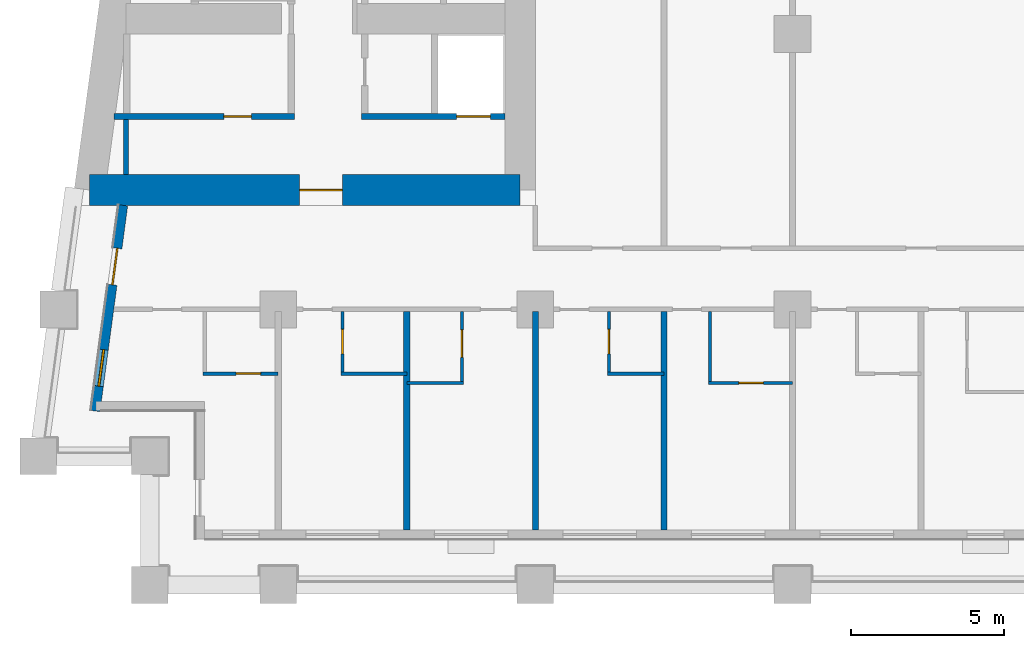
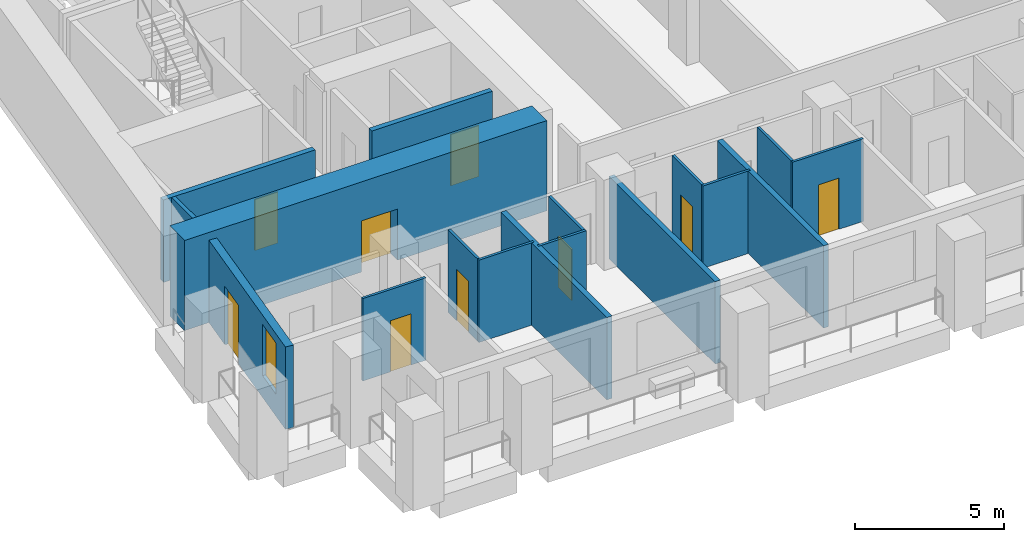
# One storey, part 2 of 14: 17 walls, 9 doors, 1 window, 10 openings.
"""IFC4 building model written with IfcOpenShell, lengths in metres."""

from ifc_helpers import new_model, si_unit, direction, frame, frame_2d, origin, place, context, subcontext, project, spatial, rectangle, extrude, material, layer, layer_set, type_object, element, fill, save


model = new_model("IFC4")

# Units and contexts
model_context = context("Model", 3, precision=1e-05, world=origin(), true_north=direction((0.0, 1.0)))
body_context = subcontext(model_context, "Body", "Model", "MODEL_VIEW")
ifc_project = project(units=[si_unit("LENGTHUNIT", "METRE"), si_unit("AREAUNIT", "SQUARE_METRE"), si_unit("VOLUMEUNIT", "CUBIC_METRE"), si_unit("PLANEANGLEUNIT", "RADIAN"), si_unit("MASSUNIT", "GRAM", prefix="KILO")], contexts=[model_context])

# Site, building, storey
site_placement = place(None, origin())
site = spatial("IfcSite", under=ifc_project, at=site_placement, CompositionType="ELEMENT")
building_placement = place(site_placement, origin())
building = spatial("IfcBuilding", under=site, at=building_placement, Name="Candeia Pilgrim Tower and Theatre", CompositionType="ELEMENT")
storey_placement = place(building_placement, frame((0.0, 0.0, 124.300048828125)))
storey = spatial("IfcBuildingStorey", under=building, at=storey_placement, Name="L29", CompositionType="ELEMENT", Elevation=124.300048828125)

# Wall, opening, door
ifc_material_1 = material(Name="Concrete C70/85", Category="concrete")
ifc_layer_1 = layer(ifc_material_1, 1.0)
ifc_layer_set_1 = layer_set([ifc_layer_1], Name="Core wall 1000 C70/85")
wall_type_1 = type_object("IfcWallType", Name="Core wall 1000 C70/85", PredefinedType="SHEAR", material=ifc_layer_set_1)
wall_1_placement = place(storey_placement, frame((100.300048828125, 110.89990234375, 0.0), z_axis=(0.0, 0.0, 1.0), x_axis=(-1.0, 0.0, 0.0)))
wall_1 = element("IfcWall", 1, at=wall_1_placement, inside=storey, type_object=wall_type_1, Name="Core wall W3", PredefinedType="SHEAR", context=body_context, shape_type="SweptSolid", body=[
    extrude(rectangle(XDim=14.05908203125, YDim=1.0, at=frame_2d((7.029541015625, 0.0))), origin(), (0.0, 0.0, 1.0), 3.699951171875),
])
opening_1_placement = place(wall_1_placement, frame((5.801513671875, 0.0, 0.0)))
opening_1 = element("IfcOpeningElement", 2, at=opening_1_placement, cuts=wall_1, Name="Opening L29-D066", PredefinedType="OPENING", context=body_context, shape_type="SweptSolid", body=[
    extrude(rectangle(XDim=1.39990234375, YDim=2.10009765625, at=frame_2d((0.699951171875, 1.050048828125))), frame((0.0, 0.510009765625, 0.0), z_axis=(0.0, -1.0, 0.0), x_axis=(1.0, 0.0, 0.0)), (0.0, 0.0, 1.0), 1.02001953125),
])
ifc_material_2 = material(Name="Steel fire door set", Category="steel")
door_type_1 = type_object("IfcDoorType", Name="D-1400-FD60", OperationType="NOTDEFINED", PredefinedType="DOOR", material=ifc_material_2)
door_1_placement = place(opening_1_placement, origin())
door_1 = element("IfcDoor", 3, at=door_1_placement, inside=storey, type_object=door_type_1, Name="Door L29-D066", OperationType="SINGLE_SWING_LEFT", OverallHeight=2.10009765625, OverallWidth=1.39990234375, PredefinedType="DOOR", context=body_context, shape_type="SweptSolid", body=[
    extrude(rectangle(XDim=1.39990234375, YDim=2.10009765625, at=frame_2d((0.699951171875, 1.050048828125))), frame((0.0, 0.02490234375, 0.0), z_axis=(0.0, -1.0, 0.0), x_axis=(1.0, 0.0, 0.0)), (0.0, 0.0, 1.0), 0.050048828125),
])
fill(opening_1, door_1)

# Wall, openings, door, window
ifc_material_3 = material(Name="Ceramic block masonry", Category="masonry")
ifc_layer_2 = layer(ifc_material_3, 0.300048828125)
ifc_layer_set_2 = layer_set([ifc_layer_2], Name="EW1 glazing-line wall 300")
wall_type_2 = type_object("IfcWallType", Name="EW1 glazing-line wall 300", PredefinedType="SOLIDWALL", material=ifc_layer_set_2)
wall_2_placement = place(storey_placement, frame((87.334228515625, 110.39990234375, 0.0), z_axis=(0.0, 0.0, 1.0), x_axis=(-0.133437175554, -0.991057273915, 0.0)))
wall_2 = element("IfcWall", 4, at=wall_2_placement, inside=storey, type_object=wall_type_2, Name="External wall L29-9.1", PredefinedType="SOLIDWALL", context=body_context, shape_type="SweptSolid", body=[
    extrude(rectangle(XDim=6.780517578125, YDim=0.300048828125, at=frame_2d((3.39013671875, 0.0))), origin(), (0.0, 0.0, 1.0), 3.3798828125),
])
opening_2_placement = place(wall_2_placement, frame((1.41796875, 0.0, 0.0)))
opening_2 = element("IfcOpeningElement", 5, at=opening_2_placement, cuts=wall_2, Name="Opening L29-ED299", PredefinedType="OPENING", context=body_context, shape_type="SweptSolid", body=[
    extrude(rectangle(XDim=1.199951171875, YDim=2.39990234375, at=frame_2d((0.60009765625, 1.199951171875))), frame((0.0, 0.16015625, 0.0), z_axis=(0.0, -1.0, 0.0), x_axis=(1.0, 0.0, 0.0)), (0.0, 0.0, 1.0), 0.320068359375),
])
opening_3_placement = place(wall_2_placement, frame((4.75830078125, 0.0, 0.89990234375)))
opening_3 = element("IfcOpeningElement", 6, at=opening_3_placement, cuts=wall_2, Name="Opening W-B", PredefinedType="OPENING", context=body_context, shape_type="SweptSolid", body=[
    extrude(rectangle(XDim=1.199951171875, YDim=2.10009765625, at=frame_2d((0.60009765625, 1.050048828125))), frame((0.0, 0.16015625, 0.0), z_axis=(0.0, -1.0, 0.0), x_axis=(1.0, 0.0, 0.0)), (0.0, 0.0, 1.0), 0.320068359375),
])
ifc_material_4 = material(Name="Aluminium framed glazed door", Category="aluminium")
door_type_2 = type_object("IfcDoorType", Name="Loggia door 1200x2400", OperationType="DOUBLE_DOOR_SINGLE_SWING", PredefinedType="DOOR", material=ifc_material_4)
door_2_placement = place(opening_2_placement, origin())
door_2 = element("IfcDoor", 7, at=door_2_placement, inside=storey, type_object=door_type_2, Name="Loggia door L29-ED299", OperationType="DOUBLE_DOOR_SINGLE_SWING", OverallHeight=2.39990234375, OverallWidth=1.199951171875, PredefinedType="DOOR", context=body_context, shape_type="SweptSolid", body=[
    extrude(rectangle(XDim=1.199951171875, YDim=2.39990234375, at=frame_2d((0.60009765625, 1.199951171875))), frame((0.0, 0.02490234375, 0.0), z_axis=(0.0, -1.0, 0.0), x_axis=(1.0, 0.0, 0.0)), (0.0, 0.0, 1.0), 0.050048828125),
])
fill(opening_2, door_2)
ifc_material_5 = material(Name="Aluminium framed double glazing", Category="aluminium")
window_type = type_object("IfcWindowType", Name="W-B window 1200x2100", PartitioningType="SINGLE_PANEL", PredefinedType="WINDOW", material=ifc_material_5)
window_placement = place(opening_3_placement, origin())
window = element("IfcWindow", 8, at=window_placement, inside=storey, type_object=window_type, Name="Window W-B L29", OverallHeight=2.10009765625, OverallWidth=1.199951171875, PartitioningType="SINGLE_PANEL", PredefinedType="WINDOW", context=body_context, shape_type="SweptSolid", body=[
    extrude(rectangle(XDim=1.199951171875, YDim=2.10009765625, at=frame_2d((0.60009765625, 1.050048828125))), frame((0.0, 0.030029296875, 0.0), z_axis=(0.0, -1.0, 0.0), x_axis=(1.0, 0.0, 0.0)), (0.0, 0.0, 1.0), 0.06005859375),
])
fill(opening_3, window)

# Wall
ifc_material_6 = material(Name="Gypsum board partition on steel studs", Category="steel")
ifc_layer_3 = layer(ifc_material_6, 0.10009765625)
ifc_layer_set_3 = layer_set([ifc_layer_3], Name="PW-100 room partition")
wall_type_3 = type_object("IfcWallType", Name="PW-100 room partition", PredefinedType="PARTITIONING", material=ifc_layer_set_3)
wall_3_placement = place(storey_placement, frame((96.60009765625, 104.60009765625, 0.0), z_axis=(0.0, 0.0, 1.0), x_axis=(1.0, 0.0, 0.0)))
element("IfcWall", 9, at=wall_3_placement, inside=storey, type_object=wall_type_3, Name="Room partition L29-004", PredefinedType="PARTITIONING", context=body_context, shape_type="SweptSolid", body=[
    extrude(rectangle(XDim=1.849853515625, YDim=0.10009765625, at=frame_2d((0.9248046875, 0.0))), origin(), (0.0, 0.0, 1.0), 3.3798828125),
])

# Wall, opening, door
wall_4_placement = place(storey_placement, frame((106.449951171875, 104.60009765625, 0.0), z_axis=(0.0, 0.0, 1.0), x_axis=(1.0, 0.0, 0.0)))
wall_4 = element("IfcWall", 10, at=wall_4_placement, inside=storey, type_object=wall_type_3, Name="Room partition L29-005", PredefinedType="PARTITIONING", context=body_context, shape_type="SweptSolid", body=[
    extrude(rectangle(XDim=2.75, YDim=0.10009765625, at=frame_2d((1.375, 0.0))), origin(), (0.0, 0.0, 1.0), 3.3798828125),
])
opening_4_placement = place(wall_4_placement, frame((1.0, 0.0, 0.0)))
opening_4 = element("IfcOpeningElement", 11, at=opening_4_placement, cuts=wall_4, Name="Opening L29-D023", PredefinedType="OPENING", context=body_context, shape_type="SweptSolid", body=[
    extrude(rectangle(XDim=0.800048828125, YDim=2.10009765625, at=frame_2d((0.39990234375, 1.050048828125))), frame((0.0, 0.06005859375, 0.0), z_axis=(0.0, -1.0, 0.0), x_axis=(1.0, 0.0, 0.0)), (0.0, 0.0, 1.0), 0.1201171875),
])
ifc_material_7 = material(Name="Timber door leaf", Category="wood")
door_type_3 = type_object("IfcDoorType", Name="D-800", OperationType="NOTDEFINED", PredefinedType="DOOR", material=ifc_material_7)
door_3_placement = place(opening_4_placement, origin())
door_3 = element("IfcDoor", 12, at=door_3_placement, inside=storey, type_object=door_type_3, Name="Door L29-D023", OperationType="SINGLE_SWING_RIGHT", OverallHeight=2.10009765625, OverallWidth=0.800048828125, PredefinedType="DOOR", context=body_context, shape_type="SweptSolid", body=[
    extrude(rectangle(XDim=0.800048828125, YDim=2.10009765625, at=frame_2d((0.39990234375, 1.050048828125))), frame((0.0, 0.02490234375, 0.0), z_axis=(0.0, -1.0, 0.0), x_axis=(1.0, 0.0, 0.0)), (0.0, 0.0, 1.0), 0.050048828125),
])
fill(opening_4, door_3)

wall_5_placement = place(storey_placement, frame((89.949951171875, 104.89990234375, 0.0), z_axis=(0.0, 0.0, 1.0), x_axis=(1.0, 0.0, 0.0)))
wall_5 = element("IfcWall", 13, at=wall_5_placement, inside=storey, type_object=wall_type_3, Name="Room partition L29-006", PredefinedType="PARTITIONING", context=body_context, shape_type="SweptSolid", body=[
    extrude(rectangle(XDim=2.449951171875, YDim=0.10009765625, at=frame_2d((1.22509765625, 0.0))), origin(), (0.0, 0.0, 1.0), 3.3798828125),
])
opening_5_placement = place(wall_5_placement, frame((1.074951171875, 0.0, 0.0)))
opening_5 = element("IfcOpeningElement", 14, at=opening_5_placement, cuts=wall_5, Name="Opening L29-D015", PredefinedType="OPENING", context=body_context, shape_type="SweptSolid", body=[
    extrude(rectangle(XDim=0.800048828125, YDim=2.10009765625, at=frame_2d((0.39990234375, 1.050048828125))), frame((0.0, 0.06005859375, 0.0), z_axis=(0.0, -1.0, 0.0), x_axis=(1.0, 0.0, 0.0)), (0.0, 0.0, 1.0), 0.1201171875),
])
door_4_placement = place(opening_5_placement, origin())
door_4 = element("IfcDoor", 15, at=door_4_placement, inside=storey, type_object=door_type_3, Name="Door L29-D015", OperationType="SINGLE_SWING_RIGHT", OverallHeight=2.10009765625, OverallWidth=0.800048828125, PredefinedType="DOOR", context=body_context, shape_type="SweptSolid", body=[
    extrude(rectangle(XDim=0.800048828125, YDim=2.10009765625, at=frame_2d((0.39990234375, 1.050048828125))), frame((0.0, 0.02490234375, 0.0), z_axis=(0.0, -1.0, 0.0), x_axis=(1.0, 0.0, 0.0)), (0.0, 0.0, 1.0), 0.050048828125),
])
fill(opening_5, door_4)

# Walls
wall_6_placement = place(storey_placement, frame((94.449951171875, 104.89990234375, 0.0), z_axis=(0.0, 0.0, 1.0), x_axis=(1.0, 0.0, 0.0)))
element("IfcWall", 16, at=wall_6_placement, inside=storey, type_object=wall_type_3, Name="Room partition L29-007", PredefinedType="PARTITIONING", context=body_context, shape_type="SweptSolid", body=[
    extrude(rectangle(XDim=2.150146484375, YDim=0.10009765625, at=frame_2d((1.0751953125, 0.0))), origin(), (0.0, 0.0, 1.0), 3.3798828125),
])
wall_7_placement = place(storey_placement, frame((103.14990234375, 104.89990234375, 0.0), z_axis=(0.0, 0.0, 1.0), x_axis=(1.0, 0.0, 0.0)))
element("IfcWall", 17, at=wall_7_placement, inside=storey, type_object=wall_type_3, Name="Room partition L29-008", PredefinedType="PARTITIONING", context=body_context, shape_type="SweptSolid", body=[
    extrude(rectangle(XDim=1.85009765625, YDim=0.10009765625, at=frame_2d((0.925048828125, 0.0))), origin(), (0.0, 0.0, 1.0), 3.3798828125),
])

# Wall, opening, door
wall_8_placement = place(storey_placement, frame((94.5, 104.949951171875, 0.0), z_axis=(0.0, 0.0, 1.0), x_axis=(0.0, 1.0, 0.0)))
wall_8 = element("IfcWall", 18, at=wall_8_placement, inside=storey, type_object=wall_type_3, Name="Room partition L29-066", PredefinedType="PARTITIONING", context=body_context, shape_type="SweptSolid", body=[
    extrude(rectangle(XDim=1.97509765625, YDim=0.10009765625, at=frame_2d((0.987548828125, 0.0))), origin(), (0.0, 0.0, 1.0), 3.3798828125),
])
opening_6_placement = place(wall_8_placement, frame((0.60009765625, 0.0, 0.0)))
opening_6 = element("IfcOpeningElement", 19, at=opening_6_placement, cuts=wall_8, Name="Opening L29-D017", PredefinedType="OPENING", context=body_context, shape_type="SweptSolid", body=[
    extrude(rectangle(XDim=0.800048828125, YDim=2.10009765625, at=frame_2d((0.39990234375, 1.050048828125))), frame((0.0, 0.06005859375, 0.0), z_axis=(0.0, -1.0, 0.0), x_axis=(1.0, 0.0, 0.0)), (0.0, 0.0, 1.0), 0.1201171875),
])
door_5_placement = place(opening_6_placement, origin())
door_5 = element("IfcDoor", 20, at=door_5_placement, inside=storey, type_object=door_type_3, Name="Door L29-D017", OperationType="SINGLE_SWING_RIGHT", OverallHeight=2.10009765625, OverallWidth=0.800048828125, PredefinedType="DOOR", context=body_context, shape_type="SweptSolid", body=[
    extrude(rectangle(XDim=0.800048828125, YDim=2.10009765625, at=frame_2d((0.39990234375, 1.050048828125))), frame((0.0, 0.02490234375, 0.0), z_axis=(0.0, -1.0, 0.0), x_axis=(1.0, 0.0, 0.0)), (0.0, 0.0, 1.0), 0.050048828125),
])
fill(opening_6, door_5)

wall_9_placement = place(storey_placement, frame((98.39990234375, 104.64990234375, 0.0), z_axis=(0.0, 0.0, 1.0), x_axis=(0.0, 1.0, 0.0)))
wall_9 = element("IfcWall", 21, at=wall_9_placement, inside=storey, type_object=wall_type_3, Name="Room partition L29-076", PredefinedType="PARTITIONING", context=body_context, shape_type="SweptSolid", body=[
    extrude(rectangle(XDim=2.275146484375, YDim=0.10009765625, at=frame_2d((1.1376953125, 0.0))), origin(), (0.0, 0.0, 1.0), 3.3798828125),
])
opening_7_placement = place(wall_9_placement, frame((0.780029296875, 0.0, 0.0)))
opening_7 = element("IfcOpeningElement", 22, at=opening_7_placement, cuts=wall_9, Name="Opening L29-D019", PredefinedType="OPENING", context=body_context, shape_type="SweptSolid", body=[
    extrude(rectangle(XDim=0.89990234375, YDim=2.10009765625, at=frame_2d((0.449951171875, 1.050048828125))), frame((0.0, 0.06005859375, 0.0), z_axis=(0.0, -1.0, 0.0), x_axis=(1.0, 0.0, 0.0)), (0.0, 0.0, 1.0), 0.1201171875),
])
door_type_4 = type_object("IfcDoorType", Name="D-900", OperationType="NOTDEFINED", PredefinedType="DOOR", material=ifc_material_7)
door_6_placement = place(opening_7_placement, origin())
door_6 = element("IfcDoor", 23, at=door_6_placement, inside=storey, type_object=door_type_4, Name="Door L29-D019", OperationType="SINGLE_SWING_RIGHT", OverallHeight=2.10009765625, OverallWidth=0.89990234375, PredefinedType="DOOR", context=body_context, shape_type="SweptSolid", body=[
    extrude(rectangle(XDim=0.89990234375, YDim=2.10009765625, at=frame_2d((0.449951171875, 1.050048828125))), frame((0.0, 0.02490234375, 0.0), z_axis=(0.0, -1.0, 0.0), x_axis=(1.0, 0.0, 0.0)), (0.0, 0.0, 1.0), 0.050048828125),
])
fill(opening_7, door_6)

wall_10_placement = place(storey_placement, frame((103.199951171875, 104.949951171875, 0.0), z_axis=(0.0, 0.0, 1.0), x_axis=(0.0, 1.0, 0.0)))
wall_10 = element("IfcWall", 24, at=wall_10_placement, inside=storey, type_object=wall_type_3, Name="Room partition L29-081", PredefinedType="PARTITIONING", context=body_context, shape_type="SweptSolid", body=[
    extrude(rectangle(XDim=1.97509765625, YDim=0.10009765625, at=frame_2d((0.987548828125, 0.0))), origin(), (0.0, 0.0, 1.0), 3.3798828125),
])
opening_8_placement = place(wall_10_placement, frame((0.60009765625, 0.0, 0.0)))
opening_8 = element("IfcOpeningElement", 25, at=opening_8_placement, cuts=wall_10, Name="Opening L29-D021", PredefinedType="OPENING", context=body_context, shape_type="SweptSolid", body=[
    extrude(rectangle(XDim=0.800048828125, YDim=2.10009765625, at=frame_2d((0.39990234375, 1.050048828125))), frame((0.0, 0.06005859375, 0.0), z_axis=(0.0, -1.0, 0.0), x_axis=(1.0, 0.0, 0.0)), (0.0, 0.0, 1.0), 0.1201171875),
])
door_7_placement = place(opening_8_placement, origin())
door_7 = element("IfcDoor", 26, at=door_7_placement, inside=storey, type_object=door_type_3, Name="Door L29-D021", OperationType="SINGLE_SWING_RIGHT", OverallHeight=2.10009765625, OverallWidth=0.800048828125, PredefinedType="DOOR", context=body_context, shape_type="SweptSolid", body=[
    extrude(rectangle(XDim=0.800048828125, YDim=2.10009765625, at=frame_2d((0.39990234375, 1.050048828125))), frame((0.0, 0.02490234375, 0.0), z_axis=(0.0, -1.0, 0.0), x_axis=(1.0, 0.0, 0.0)), (0.0, 0.0, 1.0), 0.050048828125),
])
fill(opening_8, door_7)

# Walls
wall_11_placement = place(storey_placement, frame((106.5, 104.64990234375, 0.0), z_axis=(0.0, 0.0, 1.0), x_axis=(0.0, 1.0, 0.0)))
element("IfcWall", 27, at=wall_11_placement, inside=storey, type_object=wall_type_3, Name="Room partition L29-086", PredefinedType="PARTITIONING", context=body_context, shape_type="SweptSolid", body=[
    extrude(rectangle(XDim=2.275146484375, YDim=0.10009765625, at=frame_2d((1.1376953125, 0.0))), origin(), (0.0, 0.0, 1.0), 3.3798828125),
])
ifc_layer_4 = layer(ifc_material_6, 0.14990234375)
ifc_layer_set_4 = layer_set([ifc_layer_4], Name="PW-150 lobby wall")
wall_type_4 = type_object("IfcWallType", Name="PW-150 lobby wall", PredefinedType="PARTITIONING", material=ifc_layer_set_4)
wall_12_placement = place(storey_placement, frame((87.428955078125, 111.39990234375, 0.0), z_axis=(0.0, 0.0, 1.0), x_axis=(0.0, 1.0, 0.0)))
element("IfcWall", 28, at=wall_12_placement, inside=storey, type_object=wall_type_4, Name="Lobby wall L29-055", PredefinedType="PARTITIONING", context=body_context, shape_type="SweptSolid", body=[
    extrude(rectangle(XDim=1.800048828125, YDim=0.14990234375, at=frame_2d((0.89990234375, 0.0))), origin(), (0.0, 0.0, 1.0), 3.3798828125),
])
ifc_layer_5 = layer(ifc_material_6, 0.199951171875)
ifc_layer_set_5 = layer_set([ifc_layer_5], Name="PW-200 party wall")
wall_type_5 = type_object("IfcWallType", Name="PW-200 party wall", PredefinedType="PARTITIONING", material=ifc_layer_set_5)
for number, where, z_axis, x_axis, name in (
    (29, (96.60009765625, 99.7900390625, 0.0), (0.0, 0.0, 1.0), (0.0, 1.0, 0.0), "Party wall L29-071"),
    (30, (100.800048828125, 99.7900390625, 0.0), (0.0, 0.0, 1.0), (0.0, 1.0, 0.0), "Party wall L29-077"),
    (31, (105.0, 99.7900390625, 0.0), (0.0, 0.0, 1.0), (0.0, 1.0, 0.0), "Party wall L29-082"),
):
    element("IfcWall", number, at=place(storey_placement, frame(where, z_axis=z_axis, x_axis=x_axis)), inside=storey, type_object=wall_type_5, Name=name, PredefinedType="PARTITIONING", context=body_context, shape_type="SweptSolid", body=[
        extrude(rectangle(XDim=7.135009765625, YDim=0.199951171875, at=frame_2d((3.5673828125, 0.0))), origin(), (0.0, 0.0, 1.0), 3.3798828125),
    ])

# Wall, opening, door
ifc_material_8 = material(Name="Concrete C40/50", Category="concrete")
ifc_layer_6 = layer(ifc_material_8, 0.199951171875)
ifc_layer_set_6 = layer_set([ifc_layer_6], Name="SW-200 shaft wall")
wall_type_6 = type_object("IfcWallType", Name="SW-200 shaft wall", PredefinedType="PARTITIONING", material=ifc_layer_set_6)
wall_13_placement = place(storey_placement, frame((87.03857421875, 113.300048828125, 0.0), z_axis=(0.0, 0.0, 1.0), x_axis=(1.0, 0.0, 0.0)))
wall_13 = element("IfcWall", 32, at=wall_13_placement, inside=storey, type_object=wall_type_6, Name="Shaft wall L29-014", PredefinedType="PARTITIONING", context=body_context, shape_type="SweptSolid", body=[
    extrude(rectangle(XDim=5.888427734375, YDim=0.199951171875, at=frame_2d((2.9443359375, 0.0))), origin(), (0.0, 0.0, 1.0), 3.3798828125),
])
opening_9_placement = place(wall_13_placement, frame((3.58837890625, 0.0, 0.0)))
opening_9 = element("IfcOpeningElement", 33, at=opening_9_placement, cuts=wall_13, Name="Opening L29-D006", PredefinedType="OPENING", context=body_context, shape_type="SweptSolid", body=[
    extrude(rectangle(XDim=0.89990234375, YDim=2.10009765625, at=frame_2d((0.449951171875, 1.050048828125))), frame((0.0, 0.10986328125, 0.0), z_axis=(0.0, -1.0, 0.0), x_axis=(1.0, 0.0, 0.0)), (0.0, 0.0, 1.0), 0.219970703125),
])
door_type_5 = type_object("IfcDoorType", Name="D-900-FD60", OperationType="NOTDEFINED", PredefinedType="DOOR", material=ifc_material_2)
door_8_placement = place(opening_9_placement, origin())
door_8 = element("IfcDoor", 34, at=door_8_placement, inside=storey, type_object=door_type_5, Name="Door L29-D006", OperationType="SINGLE_SWING_RIGHT", OverallHeight=2.10009765625, OverallWidth=0.89990234375, PredefinedType="DOOR", context=body_context, shape_type="SweptSolid", body=[
    extrude(rectangle(XDim=0.89990234375, YDim=2.10009765625, at=frame_2d((0.449951171875, 1.050048828125))), frame((0.0, 0.02490234375, 0.0), z_axis=(0.0, -1.0, 0.0), x_axis=(1.0, 0.0, 0.0)), (0.0, 0.0, 1.0), 0.050048828125),
])
fill(opening_9, door_8)

wall_14_placement = place(storey_placement, frame((95.126953125, 113.300048828125, 0.0), z_axis=(0.0, 0.0, 1.0), x_axis=(1.0, 0.0, 0.0)))
wall_14 = element("IfcWall", 35, at=wall_14_placement, inside=storey, type_object=wall_type_6, Name="Shaft wall L29-015", PredefinedType="PARTITIONING", context=body_context, shape_type="SweptSolid", body=[
    extrude(rectangle(XDim=4.673095703125, YDim=0.199951171875, at=frame_2d((2.33642578125, 0.0))), origin(), (0.0, 0.0, 1.0), 3.3798828125),
])
opening_10_placement = place(wall_14_placement, frame((3.10107421875, 0.0, 0.0)))
opening_10 = element("IfcOpeningElement", 36, at=opening_10_placement, cuts=wall_14, Name="Opening L29-LD03", PredefinedType="OPENING", context=body_context, shape_type="SweptSolid", body=[
    extrude(rectangle(XDim=1.10009765625, YDim=2.10009765625, at=frame_2d((0.550048828125, 1.050048828125))), frame((0.0, 0.10986328125, 0.0), z_axis=(0.0, -1.0, 0.0), x_axis=(1.0, 0.0, 0.0)), (0.0, 0.0, 1.0), 0.219970703125),
])
ifc_material_9 = material(Name="Glazed aluminium landing door", Category="aluminium")
door_type_6 = type_object("IfcDoorType", Name="LD-1100-EI120", OperationType="SLIDING_TO_LEFT", PredefinedType="DOOR", material=ifc_material_9)
door_9_placement = place(opening_10_placement, origin())
door_9 = element("IfcDoor", 37, at=door_9_placement, inside=storey, type_object=door_type_6, Name="Landing door 03 L29", OperationType="SLIDING_TO_LEFT", OverallHeight=2.10009765625, OverallWidth=1.10009765625, PredefinedType="DOOR", context=body_context, shape_type="SweptSolid", body=[
    extrude(rectangle(XDim=1.10009765625, YDim=2.10009765625, at=frame_2d((0.550048828125, 1.050048828125))), frame((0.0, 0.02490234375, 0.0), z_axis=(0.0, -1.0, 0.0), x_axis=(1.0, 0.0, 0.0)), (0.0, 0.0, 1.0), 0.050048828125),
])
fill(opening_10, door_9)

save(model, "model.ifc")
